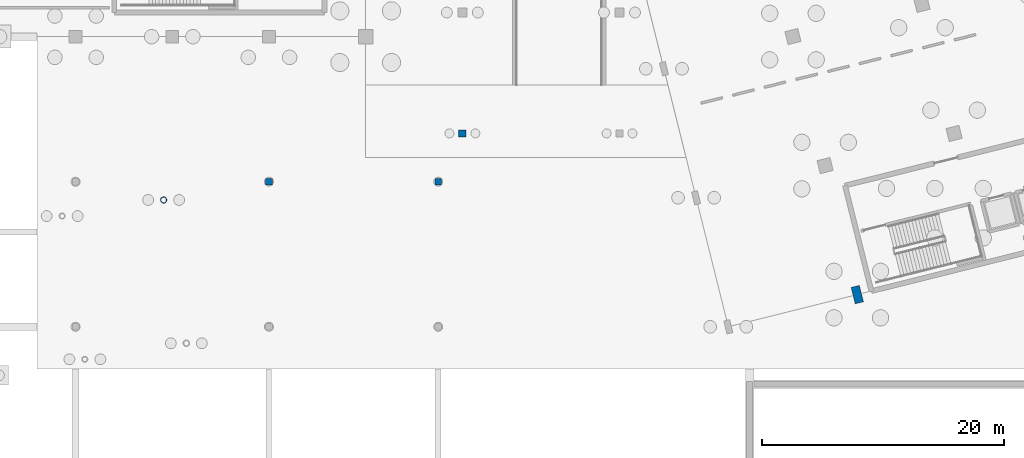
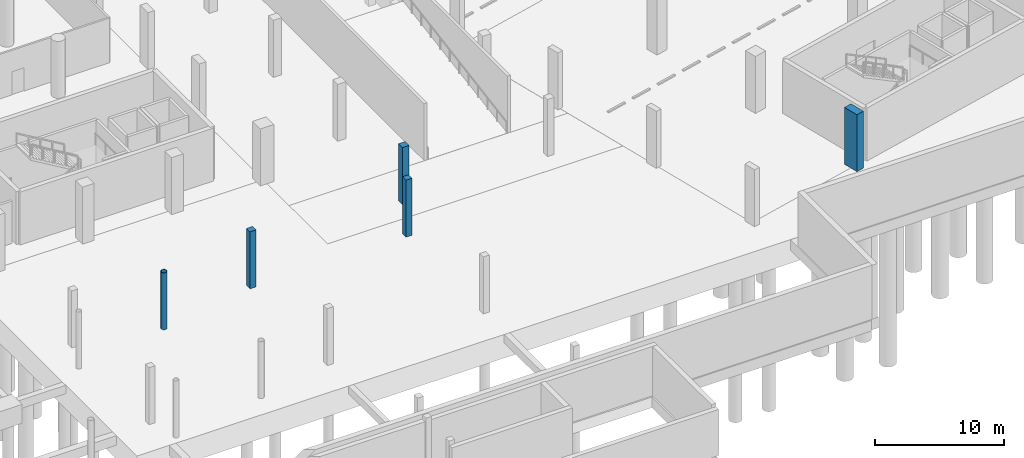
# One storey, part 33 of 65: 5 columns.
"""IFC4 building model written with IfcOpenShell, lengths in metres."""

from ifc_helpers import new_model, si_unit, direction, frame, origin, origin_2d, place, context, subcontext, project, spatial, rectangle, hollow_circle, extrude, material, material_profile, profile_set, type_object, element, save


model = new_model("IFC4")

# Units and contexts
model_context = context("Model", 3, precision=1e-05, world=origin(), true_north=direction((0.0, 1.0)))
body_context = subcontext(model_context, "Body", "Model", "MODEL_VIEW")
ifc_project = project(units=[si_unit("LENGTHUNIT", "METRE"), si_unit("AREAUNIT", "SQUARE_METRE"), si_unit("VOLUMEUNIT", "CUBIC_METRE"), si_unit("PLANEANGLEUNIT", "RADIAN"), si_unit("MASSUNIT", "GRAM", prefix="KILO")], contexts=[model_context])

# Site, building, storey
site_placement = place(None, origin())
site = spatial("IfcSite", under=ifc_project, at=site_placement, CompositionType="ELEMENT")
building_placement = place(site_placement, origin())
building = spatial("IfcBuilding", under=site, at=building_placement, Name="Khorjan Park Terminus", CompositionType="ELEMENT")
storey_placement = place(building_placement, frame((0.0, 0.0, -5.4)))
storey = spatial("IfcBuildingStorey", under=building, at=storey_placement, Name="B1", CompositionType="ELEMENT", Elevation=-5.4)

# Columns
ifc_material_1 = material(Name="Concrete C50/60", Category="concrete")
ifc_material_profile_1 = material_profile(ifc_material_1, rectangle(XDim=0.7, YDim=1.4, at=origin_2d()), Name="RC 700x1400")
ifc_profile_set_1 = profile_set([ifc_material_profile_1], Name="Concrete C50/60")
column_type_1 = type_object("IfcColumnType", Name="COL-BL1400E", PredefinedType="COLUMN", material=ifc_profile_set_1)
column_1_placement = place(storey_placement, frame((176.673, 4.661, 0.0), z_axis=(0.0, 0.0, 1.0), x_axis=(0.970295726276, 0.2419218956, 0.0)))
element("IfcColumn", 1, at=column_1_placement, inside=storey, type_object=column_type_1, Name="Structural column C-BL14 (B1 #686)", PredefinedType="COLUMN", context=body_context, shape_type="SweptSolid", body=[
    extrude(rectangle(XDim=0.7, YDim=1.4, at=origin_2d()), origin(), (0.0, 0.0, 1.0), 5.4),
])
ifc_material_2 = material(Name="Concrete C40/50", Category="concrete")
ifc_material_profile_2 = material_profile(ifc_material_2, rectangle(XDim=0.55, YDim=0.55, at=origin_2d()), Name="RC 550x550")
ifc_profile_set_2 = profile_set([ifc_material_profile_2], Name="Concrete C40/50")
column_type_2 = type_object("IfcColumnType", Name="COL-RC550", PredefinedType="COLUMN", material=ifc_profile_set_2)
for number, where, z_axis, x_axis, name in (
    (2, (128.0, 14.0, 0.0), (0.0, 0.0, 1.0), (1.0, 0.0, 0.0), "Structural column C-RC55 (B1 #970)"),
    (3, (142.0, 14.0, 0.0), (0.0, 0.0, 1.0), (1.0, 0.0, 0.0), "Structural column C-RC55 (B1 #974)"),
):
    element("IfcColumn", number, at=place(storey_placement, frame(where, z_axis=z_axis, x_axis=x_axis)), inside=storey, type_object=column_type_2, Name=name, PredefinedType="COLUMN", context=body_context, shape_type="SweptSolid", body=[
        extrude(rectangle(XDim=0.55, YDim=0.55, at=origin_2d()), origin(), (0.0, 0.0, 1.0), 5.4),
    ])
ifc_material_profile_3 = material_profile(ifc_material_2, rectangle(XDim=0.6, YDim=0.6, at=origin_2d()), Name="RC 600x600")
ifc_profile_set_3 = profile_set([ifc_material_profile_3], Name="Concrete C40/50")
column_type_3 = type_object("IfcColumnType", Name="COL-RC600", PredefinedType="COLUMN", material=ifc_profile_set_3)
column_2_placement = place(storey_placement, frame((144.0, 18.0, 0.0), z_axis=(0.0, 0.0, 1.0), x_axis=(1.0, 0.0, 0.0)))
element("IfcColumn", 4, at=column_2_placement, inside=storey, type_object=column_type_3, Name="Structural column C-RC06 (B1 #937)", PredefinedType="COLUMN", context=body_context, shape_type="SweptSolid", body=[
    extrude(rectangle(XDim=0.6, YDim=0.6, at=origin_2d()), origin(), (0.0, 0.0, 1.0), 5.4),
])
ifc_material_3 = material(Name="Steel S355", Category="steel")
ifc_material_profile_4 = material_profile(ifc_material_3, hollow_circle(Radius=0.254, WallThickness=0.02, at=origin_2d()), Name="CHS 508x20")
ifc_profile_set_4 = profile_set([ifc_material_profile_4], Name="Steel S355")
column_type_4 = type_object("IfcColumnType", Name="COL-SH508E", PredefinedType="COLUMN", material=ifc_profile_set_4)
column_3_placement = place(storey_placement, frame((119.286, 12.49, 0.0), z_axis=(0.0, 0.0, 1.0), x_axis=(0.987688340595, 0.15643446504, 0.0)))
element("IfcColumn", 5, at=column_3_placement, inside=storey, type_object=column_type_4, Name="Structural column SC-51 (B1 #593)", PredefinedType="COLUMN", context=body_context, shape_type="SweptSolid", body=[
    extrude(hollow_circle(Radius=0.254, WallThickness=0.02, at=origin_2d()), origin(), (0.0, 0.0, 1.0), 5.4),
])

save(model, "model.ifc")
